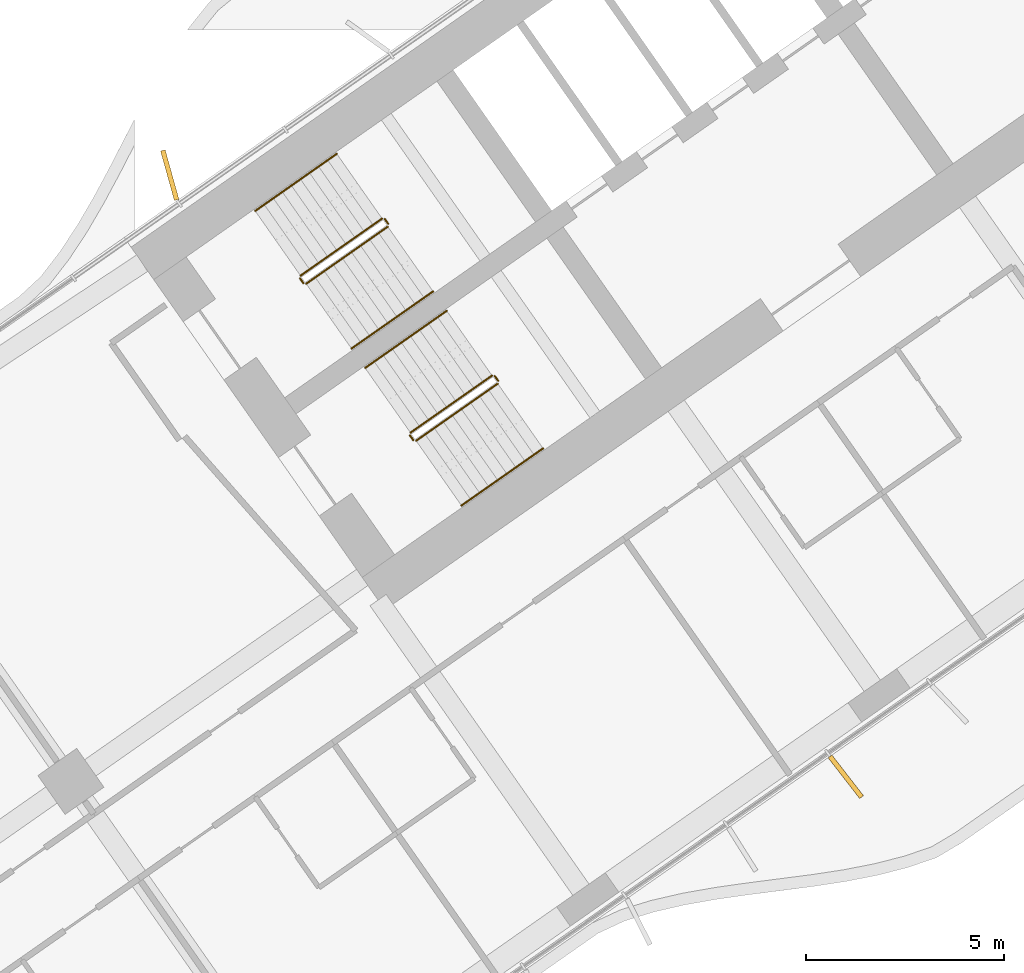
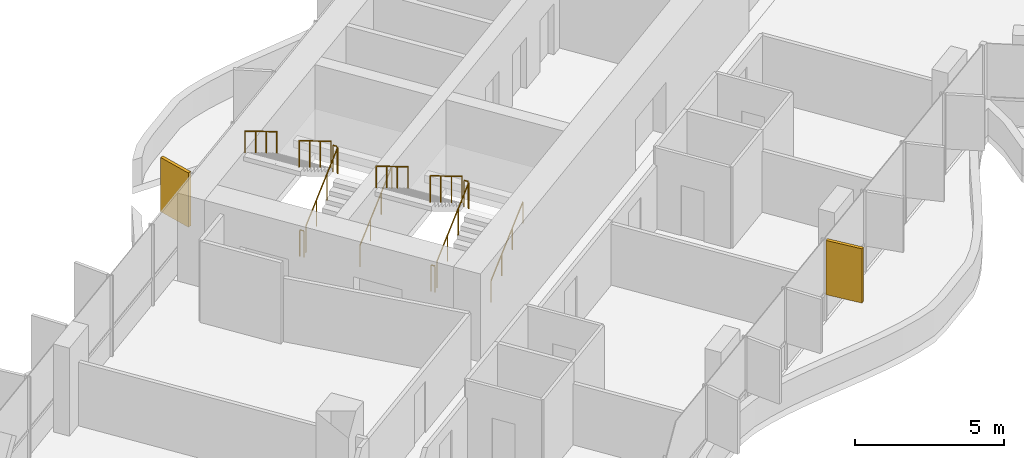
# One storey, part 19 of 23: 12 railings, 2 shading devices.
"""IFC4 building model written with IfcOpenShell, lengths in metres."""

import ifcopenshell
import ifcopenshell.guid

model = None  # the IFC model being written
_history = None  # IfcOwnerHistory: only IFC2X3 demands one
_inside = {}  # id of a spatial element -> (the spatial element, [elements in it])
_under = {}  # id of a project, library or spatial element -> (it, [spatial elements below it])
_declared = {}  # id of a project -> (the project, [libraries it declares])
_typed = {}  # id of a type object -> (the type object, [elements of that type])
_made_of = {}  # id of a material, layer set ... -> (it, [elements and type objects made of it])


def new_model(schema):
    """Start an empty IFC model of exactly this schema.

    Asked for "IFC4X3", IfcOpenShell would pick the latest addendum, in which some entities
    have other attributes; the version numbers below select the first issue.
    IFC2X3 requires an IfcOwnerHistory on every rooted entity: one is made here for all.
    """
    global model, _history
    if schema == "IFC4X3":
        model = ifcopenshell.file(schema_version=(4, 3, 0, 0))
    else:
        model = ifcopenshell.file(schema=schema)
    _inside.clear()
    _under.clear()
    _declared.clear()
    _typed.clear()
    _made_of.clear()
    _history = None
    if model.schema == "IFC2X3":
        org = make("IfcOrganization", Name="unknown")
        user = make(
            "IfcPersonAndOrganization",
            ThePerson=make("IfcPerson", FamilyName="unknown"),
            TheOrganization=org,
        )
        app = make(
            "IfcApplication",
            ApplicationDeveloper=org,
            Version="unknown",
            ApplicationFullName="unknown",
            ApplicationIdentifier="unknown",
        )
        _history = make(
            "IfcOwnerHistory",
            OwningUser=user,
            OwningApplication=app,
            ChangeAction="ADDED",
            CreationDate=0,
        )
    return model


def make(cls, **values):
    """One entity of the class cls with the attributes given. An attribute that is None is left unset."""
    return model.create_entity(
        cls, **{name: value for name, value in values.items() if value is not None}
    )


def rooted(cls, **values):
    """An entity with a GlobalId (a new one), such as an element, a storey or a relation."""
    return make(cls, GlobalId=ifcopenshell.guid.new(), OwnerHistory=_history, **values)


def si_unit(unit_type, name, prefix=None):
    """IfcSIUnit, for example si_unit("LENGTHUNIT", "METRE", prefix="MILLI")."""
    return make("IfcSIUnit", UnitType=unit_type, Prefix=prefix, Name=name)


def assignment(units):
    """IfcUnitAssignment: the units of a project."""
    return None if units is None else make("IfcUnitAssignment", Units=units)


def point(xyz):
    """IfcCartesianPoint."""
    return None if xyz is None else make("IfcCartesianPoint", Coordinates=xyz)


def direction(xyz):
    """IfcDirection."""
    return None if xyz is None else make("IfcDirection", DirectionRatios=xyz)


def frame(location, z_axis=None, x_axis=None):
    """IfcAxis2Placement3D, a coordinate frame: its origin and axes. An axis left out is left unset."""
    return make(
        "IfcAxis2Placement3D",
        Location=point(location),
        Axis=direction(z_axis),
        RefDirection=direction(x_axis),
    )


def frame_2d(location, x_axis=None):
    """IfcAxis2Placement2D, a coordinate frame in the plane: its origin and x axis."""
    return make(
        "IfcAxis2Placement2D", Location=point(location), RefDirection=direction(x_axis)
    )


def origin():
    """The frame at (0, 0, 0) with its axes left unset."""
    return frame((0.0, 0.0, 0.0))


def origin_2d():
    """The frame at (0, 0) in the plane with its x axis left unset."""
    return frame_2d((0.0, 0.0))


def place(relative_to, where):
    """IfcLocalPlacement: puts the frame where relative to a parent placement (None: the world)."""
    return make(
        "IfcLocalPlacement", PlacementRelTo=relative_to, RelativePlacement=where
    )


def context(
    kind, dimensions, precision=None, world=None, true_north=None, identifier=None
):
    """IfcGeometricRepresentationContext, for example the 3D "Model" context."""
    return make(
        "IfcGeometricRepresentationContext",
        ContextIdentifier=identifier,
        ContextType=kind,
        CoordinateSpaceDimension=dimensions,
        Precision=precision,
        WorldCoordinateSystem=world,
        TrueNorth=true_north,
    )


def subcontext(parent, identifier, kind, view, scale=None):
    """IfcGeometricRepresentationSubContext, for example "Body" below "Model"."""
    return make(
        "IfcGeometricRepresentationSubContext",
        ContextIdentifier=identifier,
        ContextType=kind,
        ParentContext=parent,
        TargetScale=scale,
        TargetView=view,
    )


def project(units=None, contexts=None):
    """IfcProject with its units and contexts."""
    return rooted(
        "IfcProject",
        Name="project",
        RepresentationContexts=contexts,
        UnitsInContext=assignment(units),
    )


def spatial(cls, under=None, at=None, **own):
    """A site, building, storey or space (cls), placed at a placement, below another one or the project."""
    s = rooted(cls, ObjectPlacement=at, **own)
    if under is not None:
        _under.setdefault(under.id(), (under, []))[1].append(s)
    return s


def profile(cls, at=None, kind="AREA", **sizes):
    """A parametric profile (cls). Its sizes go by their IFC names, for example OverallWidth=200.0."""
    return make(cls, ProfileType=kind, Position=at, **sizes)


def rectangle(**sizes):
    """IfcRectangleProfileDef."""
    return profile("IfcRectangleProfileDef", **sizes)


def circle(**sizes):
    """IfcCircleProfileDef."""
    return profile("IfcCircleProfileDef", **sizes)


def extrude(swept, where, along, depth):
    """IfcExtrudedAreaSolid: the profile swept, set in the frame where, extruded along a direction by depth."""
    return make(
        "IfcExtrudedAreaSolid",
        SweptArea=swept,
        Position=where,
        ExtrudedDirection=direction(along),
        Depth=depth,
    )


def shape(context_of_items, identifier, shape_type, items):
    """IfcShapeRepresentation: the items that make up one representation, for example the "Body"."""
    return make(
        "IfcShapeRepresentation",
        ContextOfItems=context_of_items,
        RepresentationIdentifier=identifier,
        RepresentationType=shape_type,
        Items=items,
    )


def material(Name=None, Category=None):
    """IfcMaterial."""
    return make("IfcMaterial", Name=Name, Category=Category)


def layer(
    of_material, thickness, ventilated=None, Name=None, Category=None, Priority=None
):
    """IfcMaterialLayer: one layer of a wall or slab, of a material (None: an air gap)."""
    return make(
        "IfcMaterialLayer",
        Material=of_material,
        LayerThickness=thickness,
        IsVentilated=ventilated,
        Name=Name,
        Category=Category,
        Priority=Priority,
    )


def layer_set(layers, Name=None):
    """IfcMaterialLayerSet."""
    return make("IfcMaterialLayerSet", MaterialLayers=layers, LayerSetName=Name)


def made_of(thing, what):
    """Note that an element or type object is made of a material, layer set ...; save() writes the relation."""
    if what is not None:
        _made_of.setdefault(what.id(), (what, []))[1].append(thing)
    return thing


def type_object(cls, material=None, **own):
    """A type object (cls), such as IfcWallType, which elements share."""
    return made_of(rooted(cls, **own), material)


def element(
    cls,
    number,
    at=None,
    inside=None,
    cuts=None,
    type_object=None,
    material=None,
    context=None,
    identifier="Body",
    shape_type=None,
    held_by="IfcProductDefinitionShape",
    body=None,
    shapes=None,
    **own,
):
    """One element of the class cls, such as IfcWall. Its Tag is "e" and its number.

    at: its placement. inside: the storey or other place that contains it. cuts: it is an
    opening in that element (IfcRelVoidsElement). A single representation is given by context,
    identifier, shape_type and body (its items); several are given by shapes. held_by: the class
    of the entity that holds the representations. save() writes the other relations.
    """
    e = rooted(cls, Tag="e%d" % number, ObjectPlacement=at, **own)
    if body is not None:
        shapes = [shape(context, identifier, shape_type, body)]
    if shapes is not None:
        e.Representation = make(held_by, Representations=shapes)
    if inside is not None:
        _inside.setdefault(inside.id(), (inside, []))[1].append(e)
    if cuts is not None:
        rooted(
            "IfcRelVoidsElement", RelatingBuildingElement=cuts, RelatedOpeningElement=e
        )
    if type_object is not None:
        _typed.setdefault(type_object.id(), (type_object, []))[1].append(e)
    return made_of(e, material)


def aggregate(whole, parts):
    """IfcRelAggregates: a whole, such as a stair, and the parts it consists of."""
    return rooted("IfcRelAggregates", RelatingObject=whole, RelatedObjects=parts)


def save(model, path):
    """Write the relations noted so far, then the file.

    IfcRelAggregates (storeys below a building ...), IfcRelContainedInSpatialStructure (elements
    in a storey), IfcRelDefinesByType, IfcRelAssociatesMaterial and IfcRelDeclares: one each for
    every whole, place, type object, material and project.
    """
    for whole, parts in _under.values():
        aggregate(whole, parts)
    for where, things in _inside.values():
        rooted(
            "IfcRelContainedInSpatialStructure",
            RelatedElements=things,
            RelatingStructure=where,
        )
    for kind, things in _typed.values():
        rooted("IfcRelDefinesByType", RelatedObjects=things, RelatingType=kind)
    for what, things in _made_of.values():
        rooted("IfcRelAssociatesMaterial", RelatedObjects=things, RelatingMaterial=what)
    for by, libraries in _declared.values():
        rooted("IfcRelDeclares", RelatingContext=by, RelatedDefinitions=libraries)
    model.write(path)


model = new_model("IFC4")

# Units and contexts
model_context = context("Model", 3, precision=1e-05, world=origin(), true_north=direction((0.0, 1.0)))
body_context = subcontext(model_context, "Body", "Model", "MODEL_VIEW")
ifc_project = project(units=[si_unit("LENGTHUNIT", "METRE"), si_unit("AREAUNIT", "SQUARE_METRE"), si_unit("VOLUMEUNIT", "CUBIC_METRE"), si_unit("PLANEANGLEUNIT", "RADIAN"), si_unit("MASSUNIT", "GRAM", prefix="KILO")], contexts=[model_context])

# Site, building, storey
site_placement = place(None, origin())
site = spatial("IfcSite", under=ifc_project, at=site_placement, CompositionType="ELEMENT")
building_placement = place(site_placement, origin())
building = spatial("IfcBuilding", under=site, at=building_placement, Name="Tel Ilan Convention Tower", CompositionType="ELEMENT")
storey_placement = place(building_placement, frame((0.0, 0.0, 94.10009765625)))
storey = spatial("IfcBuildingStorey", under=building, at=storey_placement, Name="L19", CompositionType="ELEMENT", Elevation=94.10009765625)

# Shading devices
ifc_material_1 = material(Name="Aluminium, bronze anodised", Category="aluminium")
ifc_layer = layer(ifc_material_1, 0.1201171875)
ifc_layer_set = layer_set([ifc_layer], Name="FIN BRONZE 1300x120")
shading_device_type = type_object("IfcShadingDeviceType", Name="FIN BRONZE 1300x120", PredefinedType="USERDEFINED", material=ifc_layer_set)
for number, where, z_axis, x_axis, name in (
    (1, (-26.98828125, -5.30712890625, 1.10009765625), (0.0, 0.0, 1.0), (-0.268172612768, 0.963370878614, 0.0), "FIN"),
    (2, (-9.880126953125, -20.53173828125, 1.10009765625), (0.0, 0.0, 1.0), (0.612600545196, -0.790392669516, 0.0), "FIN"),
):
    element("IfcShadingDevice", number, at=place(storey_placement, frame(where, z_axis=z_axis, x_axis=x_axis)), inside=storey, type_object=shading_device_type, Name=name, ObjectType="FIN", PredefinedType="USERDEFINED", context=body_context, shape_type="SweptSolid", body=[
        extrude(rectangle(XDim=1.300048828125, YDim=0.1201171875, at=origin_2d()), origin(), (0.0, 0.0, 1.0), 2.219970703125),
    ])

# Railings
ifc_material_2 = material(Name="Stainless Steel Grade 316", Category="steel")
railing_type_1 = type_object("IfcRailingType", Name="Stainless Steel Stair Guard 1100 mm", PredefinedType="GUARDRAIL", material=ifc_material_2)
railing_1_placement = place(storey_placement, frame((-23.535400390625, -8.056396484375, 0.179931640625)))
element("IfcRailing", 3, at=railing_1_placement, inside=storey, type_object=railing_type_1, Name="L19 S1 stair guard 1", PredefinedType="GUARDRAIL", context=body_context, shape_type="SweptSolid", body=[
    extrude(circle(Radius=0.02392578125, at=origin_2d()), frame((0.0, 0.0, 1.076171875), z_axis=(0.689043377453, 0.48253410265, 0.540721798865), x_axis=(-0.573624882958, 0.819118119475, 0.0)), (0.0, 0.0, 1.0), 2.995849609375),
    extrude(circle(Radius=0.02099609375, at=origin_2d()), origin(), (0.0, 0.0, 1.0), 1.052001953125),
    extrude(circle(Radius=0.02099609375, at=origin_2d()), frame((0.68798828125, 0.48193359375, 0.5400390625)), (0.0, 0.0, 1.0), 1.052001953125),
    extrude(circle(Radius=0.02099609375, at=origin_2d()), frame((1.376220703125, 0.963623046875, 1.079833984375)), (0.0, 0.0, 1.0), 1.052001953125),
    extrude(circle(Radius=0.02099609375, at=origin_2d()), frame((2.064208984375, 1.445556640625, 1.619873046875)), (0.0, 0.0, 1.0), 1.052001953125),
])
railing_2_placement = place(storey_placement, frame((-21.458984375, -6.541259765625, 1.7998046875)))
element("IfcRailing", 4, at=railing_2_placement, inside=storey, type_object=railing_type_1, Name="L19 S1 stair guard 2", PredefinedType="GUARDRAIL", context=body_context, shape_type="SweptSolid", body=[
    extrude(circle(Radius=0.02392578125, at=origin_2d()), frame((0.0, 0.0, 1.076171875), z_axis=(-0.573353020881, 0.819308436089, 0.0), x_axis=(-0.819308436089, -0.573353020881, 0.0)), (0.0, 0.0, 1.0), 0.14990234375),
    extrude(circle(Radius=0.02099609375, at=origin_2d()), origin(), (0.0, 0.0, 1.0), 1.052001953125),
    extrude(circle(Radius=0.02099609375, at=origin_2d()), frame((-0.0859375, 0.122802734375, 0.0)), (0.0, 0.0, 1.0), 1.052001953125),
])
railing_3_placement = place(storey_placement, frame((-21.614501953125, -6.406005859375, 1.97998046875)))
element("IfcRailing", 5, at=railing_3_placement, inside=storey, type_object=railing_type_1, Name="L19 S1 stair guard 3", PredefinedType="GUARDRAIL", context=body_context, shape_type="SweptSolid", body=[
    extrude(circle(Radius=0.02392578125, at=origin_2d()), frame((0.0, 0.0, 1.076171875), z_axis=(-0.689043377453, -0.48253410265, 0.540721798865), x_axis=(0.573624882958, -0.819118119475, 0.0)), (0.0, 0.0, 1.0), 2.995849609375),
    extrude(circle(Radius=0.02099609375, at=origin_2d()), origin(), (0.0, 0.0, 1.0), 1.052001953125),
    extrude(circle(Radius=0.02099609375, at=origin_2d()), frame((-0.68798828125, -0.48193359375, 0.5400390625)), (0.0, 0.0, 1.0), 1.052001953125),
    extrude(circle(Radius=0.02099609375, at=origin_2d()), frame((-1.376220703125, -0.963623046875, 1.079833984375)), (0.0, 0.0, 1.0), 1.052001953125),
    extrude(circle(Radius=0.02099609375, at=origin_2d()), frame((-2.064208984375, -1.445556640625, 1.619873046875)), (0.0, 0.0, 1.0), 1.052001953125),
])
railing_4_placement = place(storey_placement, frame((-23.60498046875, -8.0439453125, 0.0)))
element("IfcRailing", 6, at=railing_4_placement, inside=storey, type_object=railing_type_1, Name="L19 S1 stair guard 4", PredefinedType="GUARDRAIL", context=body_context, shape_type="SweptSolid", body=[
    extrude(circle(Radius=0.02392578125, at=origin_2d()), frame((0.0, 0.0, 1.076171875), z_axis=(-0.574444878118, 0.818543268254, 0.0), x_axis=(-0.818543268254, -0.574444878118, 0.0)), (0.0, 0.0, 1.0), 0.150146484375),
    extrude(circle(Radius=0.02099609375, at=origin_2d()), origin(), (0.0, 0.0, 1.0), 1.052001953125),
    extrude(circle(Radius=0.02099609375, at=origin_2d()), frame((-0.086181640625, 0.122802734375, 0.0)), (0.0, 0.0, 1.0), 1.052001953125),
])
railing_5_placement = place(storey_placement, frame((-20.753662109375, -12.029296875, 0.179931640625)))
element("IfcRailing", 7, at=railing_5_placement, inside=storey, type_object=railing_type_1, Name="L19 S2 stair guard 1", PredefinedType="GUARDRAIL", context=body_context, shape_type="SweptSolid", body=[
    extrude(circle(Radius=0.02392578125, at=origin_2d()), frame((0.0, 0.0, 1.076171875), z_axis=(0.689086176785, 0.482507007183, 0.540691436018), x_axis=(-0.573579365141, 0.81914999352, 0.0)), (0.0, 0.0, 1.0), 2.995849609375),
    extrude(circle(Radius=0.02099609375, at=origin_2d()), origin(), (0.0, 0.0, 1.0), 1.052001953125),
    extrude(circle(Radius=0.02099609375, at=origin_2d()), frame((0.688232421875, 0.48193359375, 0.5400390625)), (0.0, 0.0, 1.0), 1.052001953125),
    extrude(circle(Radius=0.02099609375, at=origin_2d()), frame((1.376220703125, 0.963623046875, 1.079833984375)), (0.0, 0.0, 1.0), 1.052001953125),
    extrude(circle(Radius=0.02099609375, at=origin_2d()), frame((2.064453125, 1.445556640625, 1.619873046875)), (0.0, 0.0, 1.0), 1.052001953125),
])
railing_6_placement = place(storey_placement, frame((-18.677001953125, -10.51416015625, 1.7998046875)))
element("IfcRailing", 8, at=railing_6_placement, inside=storey, type_object=railing_type_1, Name="L19 S2 stair guard 2", PredefinedType="GUARDRAIL", context=body_context, shape_type="SweptSolid", body=[
    extrude(circle(Radius=0.02392578125, at=origin_2d()), frame((0.0, 0.0, 1.076171875), z_axis=(-0.573353020881, 0.819308436089, 0.0), x_axis=(-0.819308436089, -0.573353020881, 0.0)), (0.0, 0.0, 1.0), 0.14990234375),
    extrude(circle(Radius=0.02099609375, at=origin_2d()), origin(), (0.0, 0.0, 1.0), 1.052001953125),
    extrude(circle(Radius=0.02099609375, at=origin_2d()), frame((-0.0859375, 0.122802734375, 0.0)), (0.0, 0.0, 1.0), 1.052001953125),
])
railing_7_placement = place(storey_placement, frame((-18.832763671875, -10.37890625, 1.97998046875)))
element("IfcRailing", 9, at=railing_7_placement, inside=storey, type_object=railing_type_1, Name="L19 S2 stair guard 3", PredefinedType="GUARDRAIL", context=body_context, shape_type="SweptSolid", body=[
    extrude(circle(Radius=0.02392578125, at=origin_2d()), frame((0.0, 0.0, 1.076171875), z_axis=(-0.689043377453, -0.48253410265, 0.540721798865), x_axis=(0.573624882958, -0.819118119475, 0.0)), (0.0, 0.0, 1.0), 2.995849609375),
    extrude(circle(Radius=0.02099609375, at=origin_2d()), origin(), (0.0, 0.0, 1.0), 1.052001953125),
    extrude(circle(Radius=0.02099609375, at=origin_2d()), frame((-0.68798828125, -0.48193359375, 0.5400390625)), (0.0, 0.0, 1.0), 1.052001953125),
    extrude(circle(Radius=0.02099609375, at=origin_2d()), frame((-1.376220703125, -0.963623046875, 1.079833984375)), (0.0, 0.0, 1.0), 1.052001953125),
    extrude(circle(Radius=0.02099609375, at=origin_2d()), frame((-2.064208984375, -1.445556640625, 1.619873046875)), (0.0, 0.0, 1.0), 1.052001953125),
])
railing_8_placement = place(storey_placement, frame((-20.8232421875, -12.016845703125, 0.0)))
element("IfcRailing", 10, at=railing_8_placement, inside=storey, type_object=railing_type_1, Name="L19 S2 stair guard 4", PredefinedType="GUARDRAIL", context=body_context, shape_type="SweptSolid", body=[
    extrude(circle(Radius=0.02392578125, at=origin_2d()), frame((0.0, 0.0, 1.076171875), z_axis=(-0.573353020881, 0.819308436089, 0.0), x_axis=(-0.819308436089, -0.573353020881, 0.0)), (0.0, 0.0, 1.0), 0.14990234375),
    extrude(circle(Radius=0.02099609375, at=origin_2d()), origin(), (0.0, 0.0, 1.0), 1.052001953125),
    extrude(circle(Radius=0.02099609375, at=origin_2d()), frame((-0.0859375, 0.122802734375, 0.0)), (0.0, 0.0, 1.0), 1.052001953125),
])
ifc_material_3 = material(Name="Stainless Steel Grade 316", Category="steel")
railing_type_2 = type_object("IfcRailingType", Name="Stainless Steel Stair Handrail 900 mm", PredefinedType="HANDRAIL", material=ifc_material_3)
railing_9_placement = place(storey_placement, frame((-22.38818359375, -9.694580078125, 0.179931640625)))
element("IfcRailing", 11, at=railing_9_placement, inside=storey, type_object=railing_type_2, Name="L19 S1 stair handrail 1", PredefinedType="HANDRAIL", context=body_context, shape_type="SweptSolid", body=[
    extrude(circle(Radius=0.02392578125, at=origin_2d()), frame((0.0, 0.0, 0.8759765625), z_axis=(0.68907047291, 0.482471578903, 0.540743061828), x_axis=(-0.573559875649, 0.819163639968, 0.0)), (0.0, 0.0, 1.0), 2.99560546875),
    extrude(circle(Radius=0.02099609375, at=origin_2d()), origin(), (0.0, 0.0, 1.0), 0.851806640625),
    extrude(circle(Radius=0.02099609375, at=origin_2d()), frame((0.68798828125, 0.481689453125, 0.5400390625)), (0.0, 0.0, 1.0), 0.851806640625),
    extrude(circle(Radius=0.02099609375, at=origin_2d()), frame((1.376220703125, 0.963623046875, 1.079833984375)), (0.0, 0.0, 1.0), 0.851806640625),
    extrude(circle(Radius=0.02099609375, at=origin_2d()), frame((2.064208984375, 1.4453125, 1.619873046875)), (0.0, 0.0, 1.0), 0.851806640625),
])
railing_10_placement = place(storey_placement, frame((-22.76171875, -4.767822265625, 1.97998046875)))
element("IfcRailing", 12, at=railing_10_placement, inside=storey, type_object=railing_type_2, Name="L19 S1 stair handrail 2", PredefinedType="HANDRAIL", context=body_context, shape_type="SweptSolid", body=[
    extrude(circle(Radius=0.02392578125, at=origin_2d()), frame((0.0, 0.0, 0.8759765625), z_axis=(-0.68907047291, -0.482471578903, 0.540743061828), x_axis=(0.573559875649, -0.819163639968, 0.0)), (0.0, 0.0, 1.0), 2.99560546875),
    extrude(circle(Radius=0.02099609375, at=origin_2d()), origin(), (0.0, 0.0, 1.0), 0.851806640625),
    extrude(circle(Radius=0.02099609375, at=origin_2d()), frame((-0.68798828125, -0.481689453125, 0.5400390625)), (0.0, 0.0, 1.0), 0.851806640625),
    extrude(circle(Radius=0.02099609375, at=origin_2d()), frame((-1.376220703125, -0.963623046875, 1.079833984375)), (0.0, 0.0, 1.0), 0.851806640625),
    extrude(circle(Radius=0.02099609375, at=origin_2d()), frame((-2.064208984375, -1.4453125, 1.619873046875)), (0.0, 0.0, 1.0), 0.851806640625),
])
railing_11_placement = place(storey_placement, frame((-19.6064453125, -13.66748046875, 0.179931640625)))
element("IfcRailing", 13, at=railing_11_placement, inside=storey, type_object=railing_type_2, Name="L19 S2 stair handrail 1", PredefinedType="HANDRAIL", context=body_context, shape_type="SweptSolid", body=[
    extrude(circle(Radius=0.02392578125, at=origin_2d()), frame((0.0, 0.0, 0.8759765625), z_axis=(0.68907047291, 0.482471578903, 0.540743061828), x_axis=(-0.573559875649, 0.819163639968, 0.0)), (0.0, 0.0, 1.0), 2.99560546875),
    extrude(circle(Radius=0.02099609375, at=origin_2d()), origin(), (0.0, 0.0, 1.0), 0.851806640625),
    extrude(circle(Radius=0.02099609375, at=origin_2d()), frame((0.68798828125, 0.481689453125, 0.5400390625)), (0.0, 0.0, 1.0), 0.851806640625),
    extrude(circle(Radius=0.02099609375, at=origin_2d()), frame((1.376220703125, 0.963623046875, 1.079833984375)), (0.0, 0.0, 1.0), 0.851806640625),
    extrude(circle(Radius=0.02099609375, at=origin_2d()), frame((2.064208984375, 1.4453125, 1.619873046875)), (0.0, 0.0, 1.0), 0.851806640625),
])
railing_12_placement = place(storey_placement, frame((-19.979736328125, -8.74072265625, 1.97998046875)))
element("IfcRailing", 14, at=railing_12_placement, inside=storey, type_object=railing_type_2, Name="L19 S2 stair handrail 2", PredefinedType="HANDRAIL", context=body_context, shape_type="SweptSolid", body=[
    extrude(circle(Radius=0.02392578125, at=origin_2d()), frame((0.0, 0.0, 0.8759765625), z_axis=(-0.689113270881, -0.482444484817, 0.540712695399), x_axis=(0.573514357932, -0.81919550856, 0.0)), (0.0, 0.0, 1.0), 2.995849609375),
    extrude(circle(Radius=0.02099609375, at=origin_2d()), origin(), (0.0, 0.0, 1.0), 0.851806640625),
    extrude(circle(Radius=0.02099609375, at=origin_2d()), frame((-0.688232421875, -0.481689453125, 0.5400390625)), (0.0, 0.0, 1.0), 0.851806640625),
    extrude(circle(Radius=0.02099609375, at=origin_2d()), frame((-1.376220703125, -0.963623046875, 1.079833984375)), (0.0, 0.0, 1.0), 0.851806640625),
    extrude(circle(Radius=0.02099609375, at=origin_2d()), frame((-2.064453125, -1.4453125, 1.619873046875)), (0.0, 0.0, 1.0), 0.851806640625),
])

save(model, "model.ifc")
